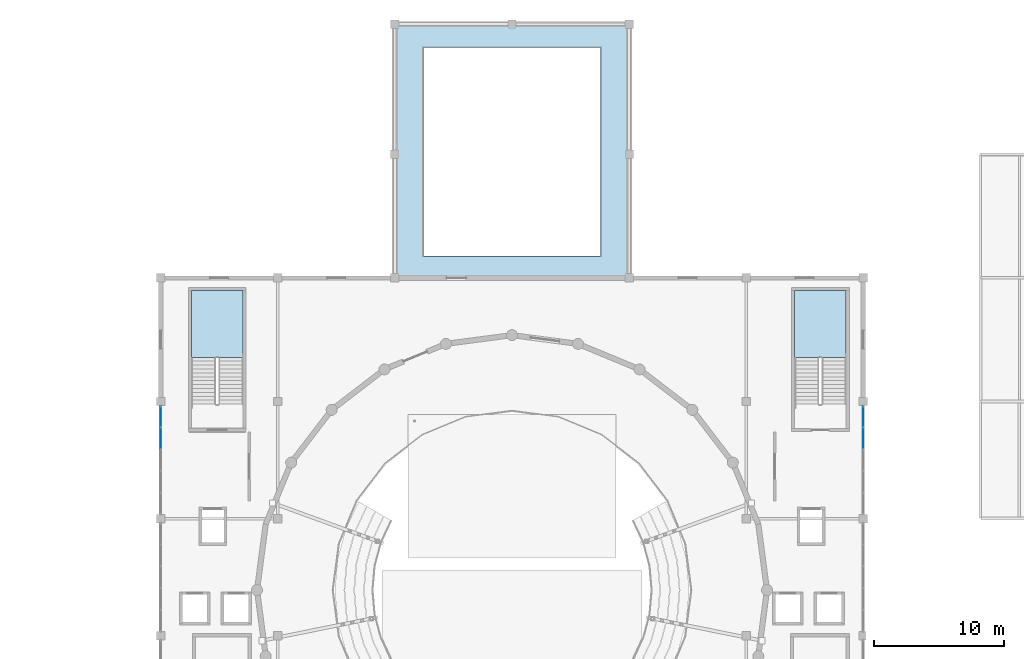
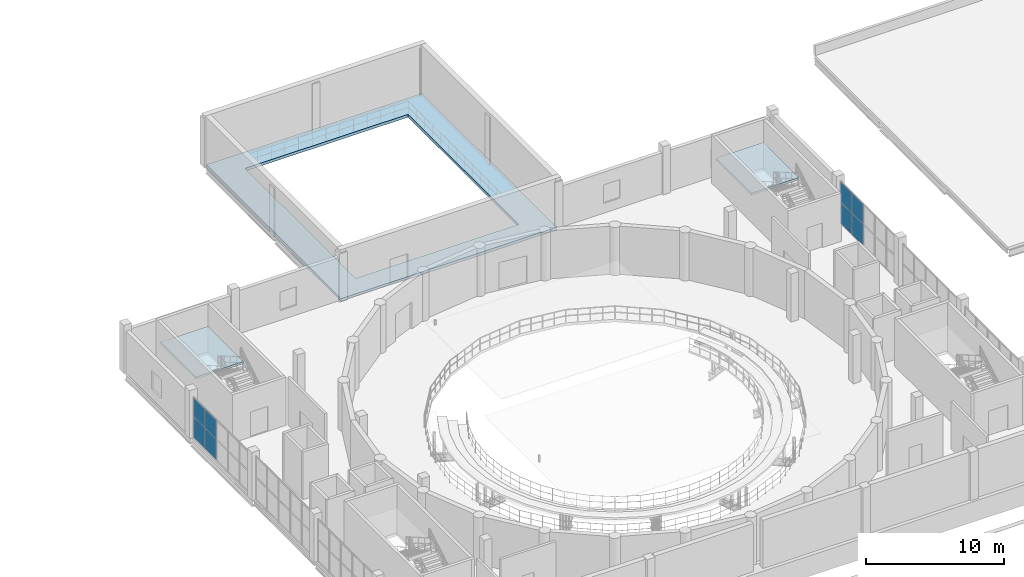
# One storey, part 36 of 54: 8 plates, 3 slabs, 4 elements without a shape of their own.
"""IFC4 building model written with IfcOpenShell, lengths in metres."""

from ifc_helpers import new_model, si_unit, direction, frame, origin, origin_2d, place, context, subcontext, project, spatial, polyline, rectangle, outline, extrude, material, layer, layer_set, type_object, element, aggregate, save


model = new_model("IFC4")

# Units and contexts
model_context = context("Model", 3, precision=1e-05, world=origin(), true_north=direction((0.0, 1.0)))
body_context = subcontext(model_context, "Body", "Model", "MODEL_VIEW")
ifc_project = project(units=[si_unit("LENGTHUNIT", "METRE"), si_unit("AREAUNIT", "SQUARE_METRE"), si_unit("VOLUMEUNIT", "CUBIC_METRE"), si_unit("PLANEANGLEUNIT", "RADIAN"), si_unit("MASSUNIT", "GRAM", prefix="KILO")], contexts=[model_context])

# Site, building, storey
site_placement = place(None, origin())
site = spatial("IfcSite", under=ifc_project, at=site_placement, CompositionType="ELEMENT")
building_placement = place(site_placement, origin())
building = spatial("IfcBuilding", under=site, at=building_placement, Name="Marnock Terrace Opera House", CompositionType="ELEMENT")
storey_placement = place(building_placement, frame((0.0, 0.0, 19.199951171875)))
storey = spatial("IfcBuildingStorey", under=building, at=storey_placement, Name="L04", CompositionType="ELEMENT", Elevation=19.199951171875)

# Curtain wall, plates
ifc_material_1 = material(Name="Anodised architectural bronze aluminium framing", Category="aluminium")
ifc_layer_1 = layer(ifc_material_1, 0.159912109375)
ifc_layer_set_1 = layer_set([ifc_layer_1], Name="Anodised architectural bronze aluminium framing")
curtain_wall_type = type_object("IfcCurtainWallType", Name="CW-DRUM-71x39", PredefinedType="NOTDEFINED", material=ifc_layer_set_1)
curtain_wall_1_placement = place(storey_placement, origin())
curtain_wall_1 = element("IfcCurtainWall", 1, at=curtain_wall_1_placement, inside=storey, type_object=curtain_wall_type, Name="L04 glazed Beaux-Arts colonnade curtain wall CW-L04-V1W4", PredefinedType="NOTDEFINED")
ifc_material_2 = material(Name="Double-glazed acoustic low-E laminated glass", Category="glass")
ifc_layer_2 = layer(ifc_material_2, 0.028076171875)
ifc_layer_set_2 = layer_set([ifc_layer_2], Name="Double-glazed acoustic low-E laminated glass")
plate_type = type_object("IfcPlateType", Name="CWP-GLZ-28", PredefinedType="CURTAIN_PANEL", material=ifc_layer_set_2)
plate_1_placement = place(storey_placement, frame((55.0, 72.171630859375, 0.06005859375), z_axis=(0.0, 0.0, 1.0), x_axis=(0.0, 1.0, 0.0)))
plate_1 = element("IfcPlate", 2, at=plate_1_placement, type_object=plate_type, Name="CW-76 panel 4.1", PredefinedType="CURTAIN_PANEL", context=body_context, shape_type="SweptSolid", body=[
    extrude(rectangle(XDim=1.611572265625, YDim=0.028076171875, at=origin_2d()), origin(), (0.0, 0.0, 1.0), 1.79150390625),
])
plate_2_placement = place(storey_placement, frame((55.0, 72.171630859375, 1.91162109375), z_axis=(0.0, 0.0, 1.0), x_axis=(0.0, 1.0, 0.0)))
plate_2 = element("IfcPlate", 3, at=plate_2_placement, type_object=plate_type, Name="CW-76 panel 4.2", PredefinedType="CURTAIN_PANEL", context=body_context, shape_type="SweptSolid", body=[
    extrude(rectangle(XDim=1.611572265625, YDim=0.028076171875, at=origin_2d()), origin(), (0.0, 0.0, 1.0), 1.646484375),
])
plate_3_placement = place(storey_placement, frame((55.0, 73.828125, 0.06005859375), z_axis=(0.0, 0.0, 1.0), x_axis=(0.0, 1.0, 0.0)))
plate_3 = element("IfcPlate", 4, at=plate_3_placement, type_object=plate_type, Name="CW-76 panel 5.1", PredefinedType="CURTAIN_PANEL", context=body_context, shape_type="SweptSolid", body=[
    extrude(rectangle(XDim=1.58154296875, YDim=0.028076171875, at=origin_2d()), origin(), (0.0, 0.0, 1.0), 1.79150390625),
])
plate_4_placement = place(storey_placement, frame((55.0, 73.828125, 1.91162109375), z_axis=(0.0, 0.0, 1.0), x_axis=(0.0, 1.0, 0.0)))
plate_4 = element("IfcPlate", 5, at=plate_4_placement, type_object=plate_type, Name="CW-76 panel 5.2", PredefinedType="CURTAIN_PANEL", context=body_context, shape_type="SweptSolid", body=[
    extrude(rectangle(XDim=1.58154296875, YDim=0.028076171875, at=origin_2d()), origin(), (0.0, 0.0, 1.0), 1.646484375),
])
aggregate(curtain_wall_1, [plate_1, plate_2, plate_3, plate_4])

curtain_wall_2_placement = place(storey_placement, origin())
curtain_wall_2 = element("IfcCurtainWall", 6, at=curtain_wall_2_placement, inside=storey, type_object=curtain_wall_type, Name="L04 glazed Beaux-Arts colonnade curtain wall CW-L04-V1E4", PredefinedType="NOTDEFINED")
plate_5_placement = place(storey_placement, frame((109.0, 72.171630859375, 0.06005859375), z_axis=(0.0, 0.0, 1.0), x_axis=(0.0, 1.0, 0.0)))
plate_5 = element("IfcPlate", 7, at=plate_5_placement, type_object=plate_type, Name="CW-76 panel 4.1", PredefinedType="CURTAIN_PANEL", context=body_context, shape_type="SweptSolid", body=[
    extrude(rectangle(XDim=1.611572265625, YDim=0.028076171875, at=origin_2d()), origin(), (0.0, 0.0, 1.0), 1.86669921875),
])
plate_6_placement = place(storey_placement, frame((109.0, 72.171630859375, 1.98681640625), z_axis=(0.0, 0.0, 1.0), x_axis=(0.0, 1.0, 0.0)))
plate_6 = element("IfcPlate", 8, at=plate_6_placement, type_object=plate_type, Name="CW-76 panel 4.2", PredefinedType="CURTAIN_PANEL", context=body_context, shape_type="SweptSolid", body=[
    extrude(rectangle(XDim=1.611572265625, YDim=0.028076171875, at=origin_2d()), origin(), (0.0, 0.0, 1.0), 1.716064453125),
])
plate_7_placement = place(storey_placement, frame((109.0, 73.828125, 0.06005859375), z_axis=(0.0, 0.0, 1.0), x_axis=(0.0, 1.0, 0.0)))
plate_7 = element("IfcPlate", 9, at=plate_7_placement, type_object=plate_type, Name="CW-76 panel 5.1", PredefinedType="CURTAIN_PANEL", context=body_context, shape_type="SweptSolid", body=[
    extrude(rectangle(XDim=1.58154296875, YDim=0.028076171875, at=origin_2d()), origin(), (0.0, 0.0, 1.0), 1.86669921875),
])
plate_8_placement = place(storey_placement, frame((109.0, 73.828125, 1.98681640625), z_axis=(0.0, 0.0, 1.0), x_axis=(0.0, 1.0, 0.0)))
plate_8 = element("IfcPlate", 10, at=plate_8_placement, type_object=plate_type, Name="CW-76 panel 5.2", PredefinedType="CURTAIN_PANEL", context=body_context, shape_type="SweptSolid", body=[
    extrude(rectangle(XDim=1.58154296875, YDim=0.028076171875, at=origin_2d()), origin(), (0.0, 0.0, 1.0), 1.716064453125),
])
aggregate(curtain_wall_2, [plate_5, plate_6, plate_7, plate_8])

# Slab
ifc_material_3 = material(Name="Concrete N40 (f'c = 40 MPa)", Category="concrete")
ifc_layer_3 = layer(ifc_material_3, 0.25)
ifc_layer_set_3 = layer_set([ifc_layer_3], Name="Concrete N40 (f'c = 40 MPa)")
slab_type_1 = type_object("IfcSlabType", Name="SL-FLR-250", PredefinedType="FLOOR", material=ifc_layer_set_3)
slab_1_placement = place(storey_placement, frame((0.0, 0.0, -0.25)))
element("IfcSlab", 11, at=slab_1_placement, inside=storey, type_object=slab_type_1, Name="L04 Stage House structural slab", PredefinedType="FLOOR", context=body_context, shape_type="SweptSolid", body=[
    extrude(outline(polyline([(73.0, 84.5), (91.0, 84.5), (91.0, 104.0), (73.0, 104.0), (73.0, 84.5)]), holes=[polyline([(75.199951171875, 86.199951171875), (88.800048828125, 86.199951171875), (88.800048828125, 102.199951171875), (75.199951171875, 102.199951171875), (75.199951171875, 86.199951171875)])]), origin(), (0.0, 0.0, 1.0), 0.25),
])

# Stair, slab
stair_type = type_object("IfcStairType", Name="ST-TYPE-2400", PredefinedType="HALF_TURN_STAIR", material=ifc_material_3)
stair_1_placement = place(storey_placement, origin())
stair_1 = element("IfcStair", 12, at=stair_1_placement, inside=storey, type_object=stair_type, Name="L04 ST-03", PredefinedType="HALF_TURN_STAIR")
ifc_material_4 = material(Name="Concrete N32 (f'c = 32 MPa)", Category="concrete")
ifc_layer_4 = layer(ifc_material_4, 0.199951171875)
ifc_layer_set_4 = layer_set([ifc_layer_4], Name="Concrete N32 (f'c = 32 MPa)")
slab_type_2 = type_object("IfcSlabType", Name="SL-LAND-200", PredefinedType="LANDING", material=ifc_layer_set_4)
slab_2_placement = place(storey_placement, frame((0.0, 0.0, 2.050048828125)))
slab_2 = element("IfcSlab", 13, at=slab_2_placement, type_object=slab_type_2, Name="ST-03 landing 1", PredefinedType="LANDING", context=body_context, shape_type="SweptSolid", body=[
    extrude(outline(polyline([(61.320068359375, 78.39990234375), (61.320068359375, 83.52001953125), (57.360107421875, 83.52001953125), (57.360107421875, 78.39990234375), (61.320068359375, 78.39990234375)])), origin(), (0.0, 0.0, 1.0), 0.199951171875),
])
aggregate(stair_1, [slab_2])

stair_2_placement = place(storey_placement, origin())
stair_2 = element("IfcStair", 14, at=stair_2_placement, inside=storey, type_object=stair_type, Name="L04 ST-04", PredefinedType="HALF_TURN_STAIR")
slab_3_placement = place(storey_placement, frame((0.0, 0.0, 2.050048828125)))
slab_3 = element("IfcSlab", 15, at=slab_3_placement, type_object=slab_type_2, Name="ST-04 landing 1", PredefinedType="LANDING", context=body_context, shape_type="SweptSolid", body=[
    extrude(outline(polyline([(107.679931640625, 78.39990234375), (107.679931640625, 83.52001953125), (103.719970703125, 83.52001953125), (103.719970703125, 78.39990234375), (107.679931640625, 78.39990234375)])), origin(), (0.0, 0.0, 1.0), 0.199951171875),
])
aggregate(stair_2, [slab_3])

save(model, "model.ifc")
